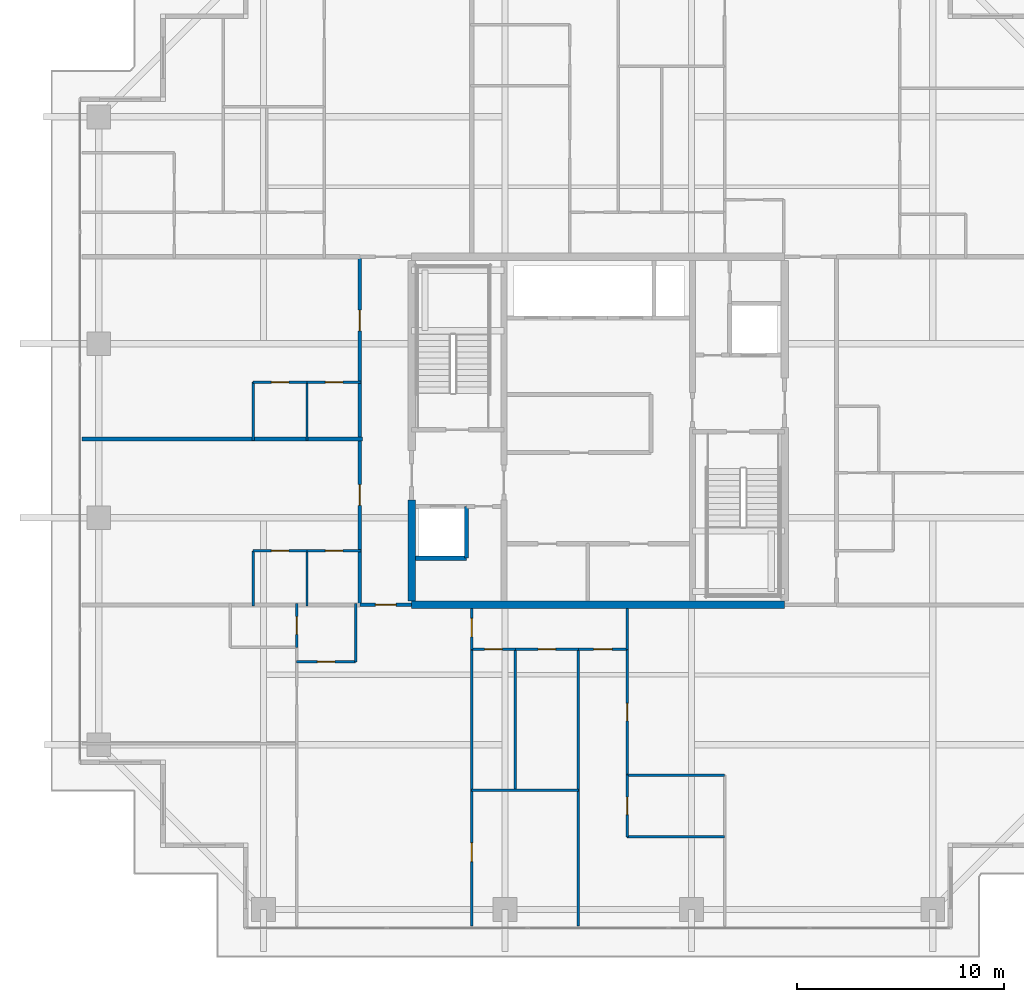
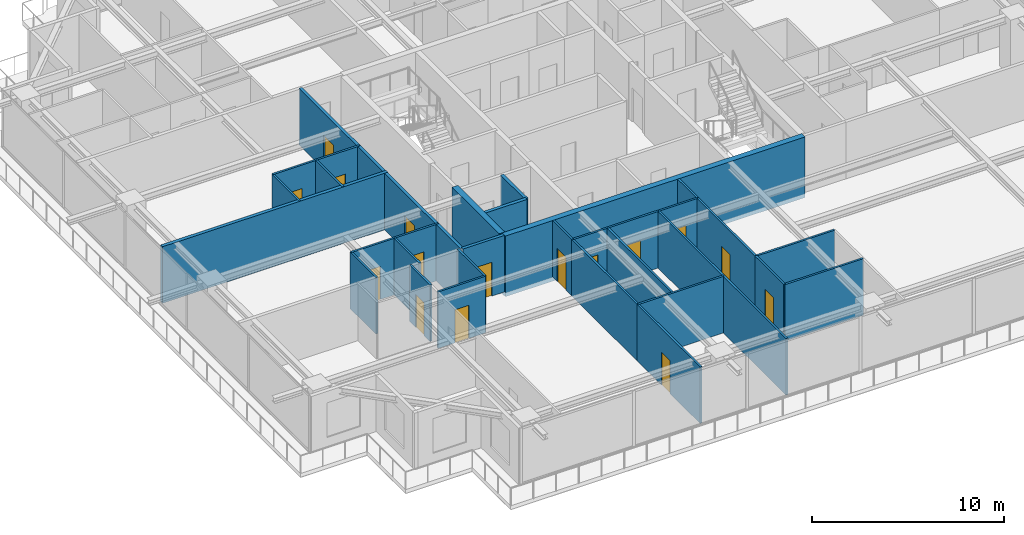
# One storey, part 26 of 37: 32 walls, 16 doors, 16 openings.
"""IFC4 building model written with IfcOpenShell, lengths in metres."""

from ifc_helpers import new_model, si_unit, direction, frame, frame_2d, origin, place, context, subcontext, project, spatial, rectangle, extrude, source, transform, mapped, material, layer, layer_set, type_object, element, fill, save


model = new_model("IFC4")

# Units and contexts
model_context = context("Model", 3, precision=1e-05, world=origin(), true_north=direction((0.0, 1.0)))
body_context = subcontext(model_context, "Body", "Model", "MODEL_VIEW")
ifc_project = project(units=[si_unit("LENGTHUNIT", "METRE"), si_unit("AREAUNIT", "SQUARE_METRE"), si_unit("VOLUMEUNIT", "CUBIC_METRE"), si_unit("PLANEANGLEUNIT", "RADIAN"), si_unit("MASSUNIT", "GRAM", prefix="KILO")], contexts=[model_context])

# Site, building, storey
site_placement = place(None, origin())
site = spatial("IfcSite", under=ifc_project, at=site_placement, CompositionType="ELEMENT")
building_placement = place(site_placement, origin())
building = spatial("IfcBuilding", under=site, at=building_placement, Name="Serunith Strait Residences", CompositionType="ELEMENT")
storey_placement = place(building_placement, frame((0.0, 0.0, 248.949951171875)))
storey = spatial("IfcBuildingStorey", under=building, at=storey_placement, Name="L62", CompositionType="ELEMENT", Elevation=248.949951171875)

# Wall, opening, door
ifc_material_1 = material(Name="Fire-rated acoustic gypsum partition")
ifc_layer_1 = layer(ifc_material_1, 0.179931640625, Name="Fire-rated acoustic gypsum partition")
ifc_layer_set_1 = layer_set([ifc_layer_1], Name="Fire-rated acoustic gypsum partition")
wall_type_1 = type_object("IfcWallType", Name="IW-CORR-180", PredefinedType="PARTITIONING", material=ifc_layer_set_1)
wall_1_placement = place(storey_placement, frame((20.902099609375, 16.800048828125, 0.0), z_axis=(0.0, 0.0, 1.0), x_axis=(1.0, 0.0, 0.0)))
wall_1 = element("IfcWall", 1, at=wall_1_placement, inside=storey, type_object=wall_type_1, Name="L62 Partition Wall 024", PredefinedType="PARTITIONING", context=body_context, shape_type="SweptSolid", body=[
    extrude(rectangle(XDim=2.495849609375, YDim=0.179931640625, at=frame_2d((1.248046875, 0.0))), origin(), (0.0, 0.0, 1.0), 3.590087890625),
])
opening_1_placement = place(wall_1_placement, frame((0.748046875, 0.0, 0.0)))
opening_1 = element("IfcOpeningElement", 2, at=opening_1_placement, cuts=wall_1, Name="Opening D-APT1000", PredefinedType="OPENING", context=body_context, shape_type="SweptSolid", body=[
    extrude(rectangle(XDim=1.0, YDim=2.14990234375, at=frame_2d((0.5, 1.074951171875))), frame((0.0, 0.10009765625, 0.0), z_axis=(0.0, -1.0, 0.0), x_axis=(1.0, 0.0, 0.0)), (0.0, 0.0, 1.0), 0.199951171875),
])
ifc_material_2 = material(Name="Solid timber engineered fire door", Category="wood")
door_type_1 = type_object("IfcDoorType", Name="ID-APT-1000", OperationType="NOTDEFINED", PredefinedType="DOOR", material=ifc_material_2)
shared_shape_1 = source(origin(), body_context, "Body", "SweptSolid", [
    extrude(rectangle(XDim=1.0, YDim=2.14990234375, at=frame_2d((0.5, 1.074951171875))), frame((0.0, 0.02490234375, 0.0), z_axis=(0.0, -1.0, 0.0), x_axis=(1.0, 0.0, 0.0)), (0.0, 0.0, 1.0), 0.050048828125),
])
door_1_placement = place(opening_1_placement, origin())
door_1 = element("IfcDoor", 3, at=door_1_placement, inside=storey, type_object=door_type_1, Name="L62 Unit 01 Entrance Door", OperationType="SINGLE_SWING_LEFT", OverallHeight=2.14990234375, OverallWidth=1.0, PredefinedType="DOOR", context=body_context, shape_type="MappedRepresentation", body=[
    mapped(shared_shape_1, transform((0.0, 0.0, 0.0), scale=1.0)),
])
fill(opening_1, door_1)

# Wall, openings, doors
wall_2_placement = place(storey_placement, frame((20.89990234375, 16.800048828125, 0.0), z_axis=(0.0, 0.0, 1.0), x_axis=(0.0, 1.0, 0.0)))
wall_2 = element("IfcWall", 4, at=wall_2_placement, inside=storey, type_object=wall_type_1, Name="L62 Partition Wall 026", PredefinedType="PARTITIONING", context=body_context, shape_type="SweptSolid", body=[
    extrude(rectangle(XDim=16.800048828125, YDim=0.179931640625, at=frame_2d((8.39990234375, 0.0))), origin(), (0.0, 0.0, 1.0), 3.590087890625),
])
opening_2_placement = place(wall_2_placement, frame((4.802978515625, 0.0, 0.0)))
opening_2 = element("IfcOpeningElement", 5, at=opening_2_placement, cuts=wall_2, Name="Opening D-APT1000", PredefinedType="OPENING", context=body_context, shape_type="SweptSolid", body=[
    extrude(rectangle(XDim=1.0, YDim=2.14990234375, at=frame_2d((0.5, 1.074951171875))), frame((0.0, 0.10009765625, 0.0), z_axis=(0.0, -1.0, 0.0), x_axis=(1.0, 0.0, 0.0)), (0.0, 0.0, 1.0), 0.199951171875),
])
opening_3_placement = place(wall_2_placement, frame((13.22509765625, 0.0, 0.0)))
opening_3 = element("IfcOpeningElement", 6, at=opening_3_placement, cuts=wall_2, Name="Opening D-APT1000", PredefinedType="OPENING", context=body_context, shape_type="SweptSolid", body=[
    extrude(rectangle(XDim=1.0, YDim=2.14990234375, at=frame_2d((0.5, 1.074951171875))), frame((0.0, 0.10009765625, 0.0), z_axis=(0.0, -1.0, 0.0), x_axis=(1.0, 0.0, 0.0)), (0.0, 0.0, 1.0), 0.199951171875),
])
door_2_placement = place(opening_2_placement, origin())
door_2 = element("IfcDoor", 7, at=door_2_placement, inside=storey, type_object=door_type_1, Name="L62 Unit 04 Entrance Door", OperationType="SINGLE_SWING_LEFT", OverallHeight=2.14990234375, OverallWidth=1.0, PredefinedType="DOOR", context=body_context, shape_type="MappedRepresentation", body=[
    mapped(shared_shape_1, transform((0.0, 0.0, 0.0), scale=1.0)),
])
fill(opening_2, door_2)
door_3_placement = place(opening_3_placement, origin())
door_3 = element("IfcDoor", 8, at=door_3_placement, inside=storey, type_object=door_type_1, Name="L62 Unit 05 Entrance Door", OperationType="SINGLE_SWING_RIGHT", OverallHeight=2.14990234375, OverallWidth=1.0, PredefinedType="DOOR", context=body_context, shape_type="MappedRepresentation", body=[
    mapped(shared_shape_1, transform((0.0, 0.0, 0.0), scale=1.0)),
])
fill(opening_3, door_3)

# Wall, opening, door
ifc_material_3 = material(Name="Lightweight steel-stud gypsum partition", Category="steel")
ifc_layer_2 = layer(ifc_material_3, 0.1201171875, Name="Lightweight steel-stud gypsum partition")
ifc_layer_set_2 = layer_set([ifc_layer_2], Name="Lightweight steel-stud gypsum partition")
wall_type_2 = type_object("IfcWallType", Name="IW-PART-120", PredefinedType="PARTITIONING", material=ifc_layer_set_2)
wall_3_placement = place(storey_placement, frame((17.85009765625, 14.050048828125, 0.0), z_axis=(0.0, 0.0, 1.0), x_axis=(1.0, 0.0, 0.0)))
wall_3 = element("IfcWall", 9, at=wall_3_placement, inside=storey, type_object=wall_type_2, Name="L62 Partition Wall 030", PredefinedType="PARTITIONING", context=body_context, shape_type="SweptSolid", body=[
    extrude(rectangle(XDim=2.849853515625, YDim=0.1201171875, at=frame_2d((1.4248046875, 0.0))), origin(), (0.0, 0.0, 1.0), 3.590087890625),
])
opening_4_placement = place(wall_3_placement, frame((1.0, 0.0, 0.0)))
opening_4 = element("IfcOpeningElement", 10, at=opening_4_placement, cuts=wall_3, Name="Opening D-RM850", PredefinedType="OPENING", context=body_context, shape_type="SweptSolid", body=[
    extrude(rectangle(XDim=0.85009765625, YDim=2.10009765625, at=frame_2d((0.425048828125, 1.050048828125))), frame((0.0, 0.070068359375, 0.0), z_axis=(0.0, -1.0, 0.0), x_axis=(1.0, 0.0, 0.0)), (0.0, 0.0, 1.0), 0.14013671875),
])
ifc_material_4 = material(Name="Engineered timber flush study and kitchen door", Category="wood")
door_type_2 = type_object("IfcDoorType", Name="ID-ROOM-850", OperationType="NOTDEFINED", PredefinedType="DOOR", material=ifc_material_4)
shared_shape_2 = source(origin(), body_context, "Body", "SweptSolid", [
    extrude(rectangle(XDim=0.85009765625, YDim=2.10009765625, at=frame_2d((0.425048828125, 1.050048828125))), frame((0.0, 0.02490234375, 0.0), z_axis=(0.0, -1.0, 0.0), x_axis=(1.0, 0.0, 0.0)), (0.0, 0.0, 1.0), 0.050048828125),
])
door_4_placement = place(opening_4_placement, origin())
door_4 = element("IfcDoor", 11, at=door_4_placement, inside=storey, type_object=door_type_2, Name="L62 Kitchen 6201 Door", OperationType="SINGLE_SWING_LEFT", OverallHeight=2.10009765625, OverallWidth=0.85009765625, PredefinedType="DOOR", context=body_context, shape_type="MappedRepresentation", body=[
    mapped(shared_shape_2, transform((0.0, 0.0, 0.0), scale=1.0)),
])
fill(opening_4, door_4)

# Wall
wall_4_placement = place(storey_placement, frame((20.699951171875, 14.050048828125, 0.0), z_axis=(0.0, 0.0, 1.0), x_axis=(0.0, 1.0, 0.0)))
element("IfcWall", 12, at=wall_4_placement, inside=storey, type_object=wall_type_2, Name="L62 Partition Wall 031", PredefinedType="PARTITIONING", context=body_context, shape_type="SweptSolid", body=[
    extrude(rectangle(XDim=2.81005859375, YDim=0.1201171875, at=frame_2d((1.405029296875, 0.0))), origin(), (0.0, 0.0, 1.0), 3.590087890625),
])

# Wall, opening, door
wall_5_placement = place(storey_placement, frame((17.85009765625, 14.751953125, 0.0), z_axis=(0.0, 0.0, 1.0), x_axis=(0.0, 1.0, 0.0)))
wall_5 = element("IfcWall", 13, at=wall_5_placement, inside=storey, type_object=wall_type_2, Name="L62 Partition Wall 037", PredefinedType="PARTITIONING", context=body_context, shape_type="SweptSolid", body=[
    extrude(rectangle(XDim=2.108154296875, YDim=0.1201171875, at=frame_2d((1.05419921875, 0.0))), origin(), (0.0, 0.0, 1.0), 3.590087890625),
])
opening_5_placement = place(wall_5_placement, frame((0.62890625, 0.0, 0.0)))
opening_5 = element("IfcOpeningElement", 14, at=opening_5_placement, cuts=wall_5, Name="Opening D-BTH850", PredefinedType="OPENING", context=body_context, shape_type="SweptSolid", body=[
    extrude(rectangle(XDim=0.85009765625, YDim=2.10009765625, at=frame_2d((0.425048828125, 1.050048828125))), frame((0.0, 0.070068359375, 0.0), z_axis=(0.0, -1.0, 0.0), x_axis=(1.0, 0.0, 0.0)), (0.0, 0.0, 1.0), 0.14013671875),
])
ifc_material_5 = material(Name="Moisture-resistant timber bathroom door", Category="wood")
door_type_3 = type_object("IfcDoorType", Name="ID-BATH-850", OperationType="NOTDEFINED", PredefinedType="DOOR", material=ifc_material_5)
door_5_placement = place(opening_5_placement, origin())
door_5 = element("IfcDoor", 15, at=door_5_placement, inside=storey, type_object=door_type_3, Name="L62 Bathroom 6201 Door", OperationType="SINGLE_SWING_RIGHT", OverallHeight=2.10009765625, OverallWidth=0.85009765625, PredefinedType="DOOR", context=body_context, shape_type="MappedRepresentation", body=[
    mapped(shared_shape_2, transform((0.0, 0.0, 0.0), scale=1.0)),
])
fill(opening_5, door_5)

wall_6_placement = place(storey_placement, frame((26.300048828125, 14.64990234375, 0.0), z_axis=(0.0, 0.0, 1.0), x_axis=(0.0, 1.0, 0.0)))
wall_6 = element("IfcWall", 16, at=wall_6_placement, inside=storey, type_object=wall_type_2, Name="L62 Partition Wall 038", PredefinedType="PARTITIONING", context=body_context, shape_type="SweptSolid", body=[
    extrude(rectangle(XDim=1.97509765625, YDim=0.1201171875, at=frame_2d((0.987548828125, 0.0))), origin(), (0.0, 0.0, 1.0), 3.590087890625),
])
opening_6_placement = place(wall_6_placement, frame((0.60107421875, 0.0, 0.0)))
opening_6 = element("IfcOpeningElement", 17, at=opening_6_placement, cuts=wall_6, Name="Opening D-RM900", PredefinedType="OPENING", context=body_context, shape_type="SweptSolid", body=[
    extrude(rectangle(XDim=0.89990234375, YDim=2.10009765625, at=frame_2d((0.449951171875, 1.050048828125))), frame((0.0, 0.070068359375, 0.0), z_axis=(0.0, -1.0, 0.0), x_axis=(1.0, 0.0, 0.0)), (0.0, 0.0, 1.0), 0.14013671875),
])
ifc_material_6 = material(Name="Engineered timber flush bedroom door", Category="wood")
door_type_4 = type_object("IfcDoorType", Name="ID-ROOM-900", OperationType="NOTDEFINED", PredefinedType="DOOR", material=ifc_material_6)
shared_shape_3 = source(origin(), body_context, "Body", "SweptSolid", [
    extrude(rectangle(XDim=0.89990234375, YDim=2.10009765625, at=frame_2d((0.449951171875, 1.050048828125))), frame((0.0, 0.02490234375, 0.0), z_axis=(0.0, -1.0, 0.0), x_axis=(1.0, 0.0, 0.0)), (0.0, 0.0, 1.0), 0.050048828125),
])
door_6_placement = place(opening_6_placement, origin())
door_6 = element("IfcDoor", 18, at=door_6_placement, inside=storey, type_object=door_type_4, Name="L62 Hall E 6201 Door", OperationType="SINGLE_SWING_LEFT", OverallHeight=2.10009765625, OverallWidth=0.89990234375, PredefinedType="DOOR", context=body_context, shape_type="MappedRepresentation", body=[
    mapped(shared_shape_3, transform((0.0, 0.0, 0.0), scale=1.0)),
])
fill(opening_6, door_6)

wall_7_placement = place(storey_placement, frame((26.300048828125, 1.294921875, 0.0), z_axis=(0.0, 0.0, 1.0), x_axis=(0.0, 1.0, 0.0)))
wall_7 = element("IfcWall", 19, at=wall_7_placement, inside=storey, type_object=wall_type_2, Name="L62 Partition Wall 039", PredefinedType="PARTITIONING", context=body_context, shape_type="SweptSolid", body=[
    extrude(rectangle(XDim=6.565185546875, YDim=0.1201171875, at=frame_2d((3.28271484375, 0.0))), origin(), (0.0, 0.0, 1.0), 3.590087890625),
])
opening_7_placement = place(wall_7_placement, frame((3.115966796875, 0.0, 0.0)))
opening_7 = element("IfcOpeningElement", 20, at=opening_7_placement, cuts=wall_7, Name="Opening D-RM900", PredefinedType="OPENING", context=body_context, shape_type="SweptSolid", body=[
    extrude(rectangle(XDim=0.89990234375, YDim=2.10009765625, at=frame_2d((0.449951171875, 1.050048828125))), frame((0.0, 0.070068359375, 0.0), z_axis=(0.0, -1.0, 0.0), x_axis=(1.0, 0.0, 0.0)), (0.0, 0.0, 1.0), 0.14013671875),
])
door_7_placement = place(opening_7_placement, origin())
door_7 = element("IfcDoor", 21, at=door_7_placement, inside=storey, type_object=door_type_4, Name="L62 Formal Dining Room 2 6201 Door", OperationType="SINGLE_SWING_RIGHT", OverallHeight=2.10009765625, OverallWidth=0.89990234375, PredefinedType="DOOR", context=body_context, shape_type="MappedRepresentation", body=[
    mapped(shared_shape_3, transform((0.0, 0.0, 0.0), scale=1.0)),
])
fill(opening_7, door_7)

# Walls
wall_8_placement = place(storey_placement, frame((26.300048828125, 7.862060546875, 0.0), z_axis=(0.0, 0.0, 1.0), x_axis=(0.0, 1.0, 0.0)))
element("IfcWall", 22, at=wall_8_placement, inside=storey, type_object=wall_type_2, Name="L62 Partition Wall 040", PredefinedType="PARTITIONING", context=body_context, shape_type="SweptSolid", body=[
    extrude(rectangle(XDim=6.785888671875, YDim=0.1201171875, at=frame_2d((3.39306640625, 0.0))), origin(), (0.0, 0.0, 1.0), 3.590087890625),
])
wall_9_placement = place(storey_placement, frame((26.300048828125, 7.860107421875, 0.0), z_axis=(0.0, 0.0, 1.0), x_axis=(1.0, 0.0, 0.0)))
element("IfcWall", 23, at=wall_9_placement, inside=storey, type_object=wall_type_2, Name="L62 Partition Wall 041", PredefinedType="PARTITIONING", context=body_context, shape_type="SweptSolid", body=[
    extrude(rectangle(XDim=5.14990234375, YDim=0.1201171875, at=frame_2d((2.574951171875, 0.0))), origin(), (0.0, 0.0, 1.0), 3.590087890625),
])
wall_10_placement = place(storey_placement, frame((31.449951171875, 1.294921875, 0.0), z_axis=(0.0, 0.0, 1.0), x_axis=(0.0, 1.0, 0.0)))
element("IfcWall", 24, at=wall_10_placement, inside=storey, type_object=wall_type_2, Name="L62 Partition Wall 042", PredefinedType="PARTITIONING", context=body_context, shape_type="SweptSolid", body=[
    extrude(rectangle(XDim=13.35498046875, YDim=0.1201171875, at=frame_2d((6.677490234375, 0.0))), origin(), (0.0, 0.0, 1.0), 3.590087890625),
])
wall_11_placement = place(storey_placement, frame((28.39990234375, 7.860107421875, 0.0), z_axis=(0.0, 0.0, 1.0), x_axis=(0.0, 1.0, 0.0)))
element("IfcWall", 25, at=wall_11_placement, inside=storey, type_object=wall_type_2, Name="L62 Partition Wall 043", PredefinedType="PARTITIONING", context=body_context, shape_type="SweptSolid", body=[
    extrude(rectangle(XDim=6.789794921875, YDim=0.1201171875, at=frame_2d((3.39501953125, 0.0))), origin(), (0.0, 0.0, 1.0), 3.590087890625),
])

# Wall, opening, door
wall_12_placement = place(storey_placement, frame((26.300048828125, 14.64990234375, 0.0), z_axis=(0.0, 0.0, 1.0), x_axis=(1.0, 0.0, 0.0)))
wall_12 = element("IfcWall", 26, at=wall_12_placement, inside=storey, type_object=wall_type_2, Name="L62 Partition Wall 044", PredefinedType="PARTITIONING", context=body_context, shape_type="SweptSolid", body=[
    extrude(rectangle(XDim=2.099853515625, YDim=0.1201171875, at=frame_2d((1.0498046875, 0.0))), origin(), (0.0, 0.0, 1.0), 3.590087890625),
])
opening_8_placement = place(wall_12_placement, frame((0.625, 0.0, 0.0)))
opening_8 = element("IfcOpeningElement", 27, at=opening_8_placement, cuts=wall_12, Name="Opening D-RM850", PredefinedType="OPENING", context=body_context, shape_type="SweptSolid", body=[
    extrude(rectangle(XDim=0.85009765625, YDim=2.10009765625, at=frame_2d((0.425048828125, 1.050048828125))), frame((0.0, 0.070068359375, 0.0), z_axis=(0.0, -1.0, 0.0), x_axis=(1.0, 0.0, 0.0)), (0.0, 0.0, 1.0), 0.14013671875),
])
door_8_placement = place(opening_8_placement, origin())
door_8 = element("IfcDoor", 28, at=door_8_placement, inside=storey, type_object=door_type_2, Name="L62 Study 6201 Door", OperationType="SINGLE_SWING_LEFT", OverallHeight=2.10009765625, OverallWidth=0.85009765625, PredefinedType="DOOR", context=body_context, shape_type="MappedRepresentation", body=[
    mapped(shared_shape_2, transform((0.0, 0.0, 0.0), scale=1.0)),
])
fill(opening_8, door_8)

wall_13_placement = place(storey_placement, frame((28.402099609375, 14.64990234375, 0.0), z_axis=(0.0, 0.0, 1.0), x_axis=(1.0, 0.0, 0.0)))
wall_13 = element("IfcWall", 29, at=wall_13_placement, inside=storey, type_object=wall_type_2, Name="L62 Partition Wall 045", PredefinedType="PARTITIONING", context=body_context, shape_type="SweptSolid", body=[
    extrude(rectangle(XDim=3.0478515625, YDim=0.1201171875, at=frame_2d((1.52392578125, 0.0))), origin(), (0.0, 0.0, 1.0), 3.590087890625),
])
opening_9_placement = place(wall_13_placement, frame((1.09912109375, 0.0, 0.0)))
opening_9 = element("IfcOpeningElement", 30, at=opening_9_placement, cuts=wall_13, Name="Opening D-RM850", PredefinedType="OPENING", context=body_context, shape_type="SweptSolid", body=[
    extrude(rectangle(XDim=0.85009765625, YDim=2.10009765625, at=frame_2d((0.425048828125, 1.050048828125))), frame((0.0, 0.070068359375, 0.0), z_axis=(0.0, -1.0, 0.0), x_axis=(1.0, 0.0, 0.0)), (0.0, 0.0, 1.0), 0.14013671875),
])
door_9_placement = place(opening_9_placement, origin())
door_9 = element("IfcDoor", 31, at=door_9_placement, inside=storey, type_object=door_type_2, Name="L62 Formal Dining Room 6201 Door", OperationType="SINGLE_SWING_RIGHT", OverallHeight=2.10009765625, OverallWidth=0.85009765625, PredefinedType="DOOR", context=body_context, shape_type="MappedRepresentation", body=[
    mapped(shared_shape_2, transform((0.0, 0.0, 0.0), scale=1.0)),
])
fill(opening_9, door_9)

wall_14_placement = place(storey_placement, frame((31.451904296875, 14.64990234375, 0.0), z_axis=(0.0, 0.0, 1.0), x_axis=(1.0, 0.0, 0.0)))
wall_14 = element("IfcWall", 32, at=wall_14_placement, inside=storey, type_object=wall_type_2, Name="L62 Partition Wall 046", PredefinedType="PARTITIONING", context=body_context, shape_type="SweptSolid", body=[
    extrude(rectangle(XDim=2.34814453125, YDim=0.1201171875, at=frame_2d((1.174072265625, 0.0))), origin(), (0.0, 0.0, 1.0), 3.590087890625),
])
opening_10_placement = place(wall_14_placement, frame((0.72412109375, 0.0, 0.0)))
opening_10 = element("IfcOpeningElement", 33, at=opening_10_placement, cuts=wall_14, Name="Opening D-RM900", PredefinedType="OPENING", context=body_context, shape_type="SweptSolid", body=[
    extrude(rectangle(XDim=0.89990234375, YDim=2.10009765625, at=frame_2d((0.449951171875, 1.050048828125))), frame((0.0, 0.070068359375, 0.0), z_axis=(0.0, -1.0, 0.0), x_axis=(1.0, 0.0, 0.0)), (0.0, 0.0, 1.0), 0.14013671875),
])
door_10_placement = place(opening_10_placement, origin())
door_10 = element("IfcDoor", 34, at=door_10_placement, inside=storey, type_object=door_type_4, Name="L62 Master Bedroom E 6201 Door", OperationType="SINGLE_SWING_LEFT", OverallHeight=2.10009765625, OverallWidth=0.89990234375, PredefinedType="DOOR", context=body_context, shape_type="MappedRepresentation", body=[
    mapped(shared_shape_3, transform((0.0, 0.0, 0.0), scale=1.0)),
])
fill(opening_10, door_10)

# Walls
for number, where, z_axis, x_axis, name in (
    (35, (33.800048828125, 5.60888671875, 0.0), (0.0, 0.0, 1.0), (1.0, 0.0, 0.0), "L62 Partition Wall 047"),
    (36, (33.800048828125, 8.587890625, 0.0), (0.0, 0.0, 1.0), (1.0, 0.0, 0.0), "L62 Partition Wall 049"),
):
    element("IfcWall", number, at=place(storey_placement, frame(where, z_axis=z_axis, x_axis=x_axis)), inside=storey, type_object=wall_type_2, Name=name, PredefinedType="PARTITIONING", context=body_context, shape_type="SweptSolid", body=[
        extrude(rectangle(XDim=4.699951171875, YDim=0.1201171875, at=frame_2d((2.35009765625, 0.0))), origin(), (0.0, 0.0, 1.0), 3.590087890625),
    ])

# Wall, opening, door
wall_15_placement = place(storey_placement, frame((33.800048828125, 5.60888671875, 0.0), z_axis=(0.0, 0.0, 1.0), x_axis=(0.0, 1.0, 0.0)))
wall_15 = element("IfcWall", 37, at=wall_15_placement, inside=storey, type_object=wall_type_2, Name="L62 Partition Wall 050", PredefinedType="PARTITIONING", context=body_context, shape_type="SweptSolid", body=[
    extrude(rectangle(XDim=2.97900390625, YDim=0.1201171875, at=frame_2d((1.489501953125, 0.0))), origin(), (0.0, 0.0, 1.0), 3.590087890625),
])
opening_11_placement = place(wall_15_placement, frame((1.06396484375, 0.0, 0.0)))
opening_11 = element("IfcOpeningElement", 38, at=opening_11_placement, cuts=wall_15, Name="Opening D-BTH850", PredefinedType="OPENING", context=body_context, shape_type="SweptSolid", body=[
    extrude(rectangle(XDim=0.85009765625, YDim=2.10009765625, at=frame_2d((0.425048828125, 1.050048828125))), frame((0.0, 0.070068359375, 0.0), z_axis=(0.0, -1.0, 0.0), x_axis=(1.0, 0.0, 0.0)), (0.0, 0.0, 1.0), 0.14013671875),
])
door_11_placement = place(opening_11_placement, origin())
door_11 = element("IfcDoor", 39, at=door_11_placement, inside=storey, type_object=door_type_3, Name="L62 En-suite Bathroom E 6201 Door", OperationType="SINGLE_SWING_RIGHT", OverallHeight=2.10009765625, OverallWidth=0.85009765625, PredefinedType="DOOR", context=body_context, shape_type="MappedRepresentation", body=[
    mapped(shared_shape_2, transform((0.0, 0.0, 0.0), scale=1.0)),
])
fill(opening_11, door_11)

wall_16_placement = place(storey_placement, frame((33.800048828125, 8.590087890625, 0.0), z_axis=(0.0, 0.0, 1.0), x_axis=(0.0, 1.0, 0.0)))
wall_16 = element("IfcWall", 40, at=wall_16_placement, inside=storey, type_object=wall_type_2, Name="L62 Partition Wall 051", PredefinedType="PARTITIONING", context=body_context, shape_type="SweptSolid", body=[
    extrude(rectangle(XDim=6.059814453125, YDim=0.1201171875, at=frame_2d((3.02978515625, 0.0))), origin(), (0.0, 0.0, 1.0), 3.590087890625),
])
opening_12_placement = place(wall_16_placement, frame((2.60498046875, 0.0, 0.0)))
opening_12 = element("IfcOpeningElement", 41, at=opening_12_placement, cuts=wall_16, Name="Opening D-RM850", PredefinedType="OPENING", context=body_context, shape_type="SweptSolid", body=[
    extrude(rectangle(XDim=0.85009765625, YDim=2.10009765625, at=frame_2d((0.425048828125, 1.050048828125))), frame((0.0, 0.070068359375, 0.0), z_axis=(0.0, -1.0, 0.0), x_axis=(1.0, 0.0, 0.0)), (0.0, 0.0, 1.0), 0.14013671875),
])
door_12_placement = place(opening_12_placement, origin())
door_12 = element("IfcDoor", 42, at=door_12_placement, inside=storey, type_object=door_type_2, Name="L62 Wardrobe E 6201 Door", OperationType="SINGLE_SWING_LEFT", OverallHeight=2.10009765625, OverallWidth=0.85009765625, PredefinedType="DOOR", context=body_context, shape_type="MappedRepresentation", body=[
    mapped(shared_shape_2, transform((0.0, 0.0, 0.0), scale=1.0)),
])
fill(opening_12, door_12)

# Wall
wall_17_placement = place(storey_placement, frame((33.800048828125, 14.652099609375, 0.0), z_axis=(0.0, 0.0, 1.0), x_axis=(0.0, 1.0, 0.0)))
element("IfcWall", 43, at=wall_17_placement, inside=storey, type_object=wall_type_2, Name="L62 Partition Wall 052", PredefinedType="PARTITIONING", context=body_context, shape_type="SweptSolid", body=[
    extrude(rectangle(XDim=1.972900390625, YDim=0.1201171875, at=frame_2d((0.986328125, 0.0))), origin(), (0.0, 0.0, 1.0), 3.590087890625),
])

# Wall, opening, door
wall_18_placement = place(storey_placement, frame((15.75, 19.39990234375, 0.0), z_axis=(0.0, 0.0, 1.0), x_axis=(1.0, 0.0, 0.0)))
wall_18 = element("IfcWall", 44, at=wall_18_placement, inside=storey, type_object=wall_type_2, Name="L62 Partition Wall 088", PredefinedType="PARTITIONING", context=body_context, shape_type="SweptSolid", body=[
    extrude(rectangle(XDim=2.60009765625, YDim=0.1201171875, at=frame_2d((1.300048828125, 0.0))), origin(), (0.0, 0.0, 1.0), 3.590087890625),
])
opening_13_placement = place(wall_18_placement, frame((0.875, 0.0, 0.0)))
opening_13 = element("IfcOpeningElement", 45, at=opening_13_placement, cuts=wall_18, Name="Opening D-RM850", PredefinedType="OPENING", context=body_context, shape_type="SweptSolid", body=[
    extrude(rectangle(XDim=0.85009765625, YDim=2.10009765625, at=frame_2d((0.425048828125, 1.050048828125))), frame((0.0, 0.070068359375, 0.0), z_axis=(0.0, -1.0, 0.0), x_axis=(1.0, 0.0, 0.0)), (0.0, 0.0, 1.0), 0.14013671875),
])
door_13_placement = place(opening_13_placement, origin())
door_13 = element("IfcDoor", 46, at=door_13_placement, inside=storey, type_object=door_type_2, Name="L62 Kitchen 6204 Door", OperationType="SINGLE_SWING_RIGHT", OverallHeight=2.10009765625, OverallWidth=0.85009765625, PredefinedType="DOOR", context=body_context, shape_type="MappedRepresentation", body=[
    mapped(shared_shape_2, transform((0.0, 0.0, 0.0), scale=1.0)),
])
fill(opening_13, door_13)

wall_19_placement = place(storey_placement, frame((18.35205078125, 19.39990234375, 0.0), z_axis=(0.0, 0.0, 1.0), x_axis=(1.0, 0.0, 0.0)))
wall_19 = element("IfcWall", 47, at=wall_19_placement, inside=storey, type_object=wall_type_2, Name="L62 Partition Wall 089", PredefinedType="PARTITIONING", context=body_context, shape_type="SweptSolid", body=[
    extrude(rectangle(XDim=2.60791015625, YDim=0.1201171875, at=frame_2d((1.303955078125, 0.0))), origin(), (0.0, 0.0, 1.0), 3.590087890625),
])
opening_14_placement = place(wall_19_placement, frame((0.87890625, 0.0, 0.0)))
opening_14 = element("IfcOpeningElement", 48, at=opening_14_placement, cuts=wall_19, Name="Opening D-BTH850", PredefinedType="OPENING", context=body_context, shape_type="SweptSolid", body=[
    extrude(rectangle(XDim=0.85009765625, YDim=2.10009765625, at=frame_2d((0.425048828125, 1.050048828125))), frame((0.0, 0.070068359375, 0.0), z_axis=(0.0, -1.0, 0.0), x_axis=(1.0, 0.0, 0.0)), (0.0, 0.0, 1.0), 0.14013671875),
])
door_14_placement = place(opening_14_placement, origin())
door_14 = element("IfcDoor", 49, at=door_14_placement, inside=storey, type_object=door_type_3, Name="L62 Bathroom 6204 Door", OperationType="SINGLE_SWING_LEFT", OverallHeight=2.10009765625, OverallWidth=0.85009765625, PredefinedType="DOOR", context=body_context, shape_type="MappedRepresentation", body=[
    mapped(shared_shape_2, transform((0.0, 0.0, 0.0), scale=1.0)),
])
fill(opening_14, door_14)

# Walls
for number, where, z_axis, x_axis, name in (
    (50, (18.35009765625, 16.739990234375, 0.0), (0.0, 0.0, 1.0), (0.0, 1.0, 0.0), "L62 Partition Wall 090"),
    (51, (15.75, 16.739990234375, 0.0), (0.0, 0.0, 1.0), (0.0, 1.0, 0.0), "L62 Partition Wall 091"),
):
    element("IfcWall", number, at=place(storey_placement, frame(where, z_axis=z_axis, x_axis=x_axis)), inside=storey, type_object=wall_type_2, Name=name, PredefinedType="PARTITIONING", context=body_context, shape_type="SweptSolid", body=[
        extrude(rectangle(XDim=2.659912109375, YDim=0.1201171875, at=frame_2d((1.330078125, 0.0))), origin(), (0.0, 0.0, 1.0), 3.590087890625),
    ])

# Wall, opening, door
wall_20_placement = place(storey_placement, frame((15.75, 27.550048828125, 0.0), z_axis=(0.0, 0.0, 1.0), x_axis=(1.0, 0.0, 0.0)))
wall_20 = element("IfcWall", 52, at=wall_20_placement, inside=storey, type_object=wall_type_2, Name="L62 Partition Wall 092", PredefinedType="PARTITIONING", context=body_context, shape_type="SweptSolid", body=[
    extrude(rectangle(XDim=2.60009765625, YDim=0.1201171875, at=frame_2d((1.300048828125, 0.0))), origin(), (0.0, 0.0, 1.0), 3.590087890625),
])
opening_15_placement = place(wall_20_placement, frame((0.875, 0.0, 0.0)))
opening_15 = element("IfcOpeningElement", 53, at=opening_15_placement, cuts=wall_20, Name="Opening D-RM850", PredefinedType="OPENING", context=body_context, shape_type="SweptSolid", body=[
    extrude(rectangle(XDim=0.85009765625, YDim=2.10009765625, at=frame_2d((0.425048828125, 1.050048828125))), frame((0.0, 0.070068359375, 0.0), z_axis=(0.0, -1.0, 0.0), x_axis=(1.0, 0.0, 0.0)), (0.0, 0.0, 1.0), 0.14013671875),
])
door_15_placement = place(opening_15_placement, origin())
door_15 = element("IfcDoor", 54, at=door_15_placement, inside=storey, type_object=door_type_2, Name="L62 Kitchen 6205 Door", OperationType="SINGLE_SWING_RIGHT", OverallHeight=2.10009765625, OverallWidth=0.85009765625, PredefinedType="DOOR", context=body_context, shape_type="MappedRepresentation", body=[
    mapped(shared_shape_2, transform((0.0, 0.0, 0.0), scale=1.0)),
])
fill(opening_15, door_15)

wall_21_placement = place(storey_placement, frame((18.35205078125, 27.550048828125, 0.0), z_axis=(0.0, 0.0, 1.0), x_axis=(1.0, 0.0, 0.0)))
wall_21 = element("IfcWall", 55, at=wall_21_placement, inside=storey, type_object=wall_type_2, Name="L62 Partition Wall 093", PredefinedType="PARTITIONING", context=body_context, shape_type="SweptSolid", body=[
    extrude(rectangle(XDim=2.60791015625, YDim=0.1201171875, at=frame_2d((1.303955078125, 0.0))), origin(), (0.0, 0.0, 1.0), 3.590087890625),
])
opening_16_placement = place(wall_21_placement, frame((0.87890625, 0.0, 0.0)))
opening_16 = element("IfcOpeningElement", 56, at=opening_16_placement, cuts=wall_21, Name="Opening D-BTH850", PredefinedType="OPENING", context=body_context, shape_type="SweptSolid", body=[
    extrude(rectangle(XDim=0.85009765625, YDim=2.10009765625, at=frame_2d((0.425048828125, 1.050048828125))), frame((0.0, 0.070068359375, 0.0), z_axis=(0.0, -1.0, 0.0), x_axis=(1.0, 0.0, 0.0)), (0.0, 0.0, 1.0), 0.14013671875),
])
door_16_placement = place(opening_16_placement, origin())
door_16 = element("IfcDoor", 57, at=door_16_placement, inside=storey, type_object=door_type_3, Name="L62 Bathroom 6205 Door", OperationType="SINGLE_SWING_LEFT", OverallHeight=2.10009765625, OverallWidth=0.85009765625, PredefinedType="DOOR", context=body_context, shape_type="MappedRepresentation", body=[
    mapped(shared_shape_2, transform((0.0, 0.0, 0.0), scale=1.0)),
])
fill(opening_16, door_16)

# Walls
for number, where, z_axis, x_axis, name in (
    (58, (18.35009765625, 24.739990234375, 0.0), (0.0, 0.0, 1.0), (0.0, 1.0, 0.0), "L62 Partition Wall 094"),
    (59, (15.75, 24.739990234375, 0.0), (0.0, 0.0, 1.0), (0.0, 1.0, 0.0), "L62 Partition Wall 095"),
):
    element("IfcWall", number, at=place(storey_placement, frame(where, z_axis=z_axis, x_axis=x_axis)), inside=storey, type_object=wall_type_2, Name=name, PredefinedType="PARTITIONING", context=body_context, shape_type="SweptSolid", body=[
        extrude(rectangle(XDim=2.81005859375, YDim=0.1201171875, at=frame_2d((1.405029296875, 0.0))), origin(), (0.0, 0.0, 1.0), 3.590087890625),
    ])
ifc_material_7 = material(Name="Twin-stud acoustic gypsum board partition")
ifc_layer_3 = layer(ifc_material_7, 0.199951171875, Name="Twin-stud acoustic gypsum board partition")
ifc_layer_set_3 = layer_set([ifc_layer_3], Name="Twin-stud acoustic gypsum board partition")
wall_type_3 = type_object("IfcWallType", Name="IW-PARTY-200", PredefinedType="PARTITIONING", material=ifc_layer_set_3)
wall_22_placement = place(storey_placement, frame((7.48193359375, 24.800048828125, 0.0), z_axis=(0.0, 0.0, 1.0), x_axis=(1.0, 0.0, 0.0)))
element("IfcWall", 60, at=wall_22_placement, inside=storey, type_object=wall_type_3, Name="L62 Partition Wall 019", PredefinedType="PARTITIONING", context=body_context, shape_type="SweptSolid", body=[
    extrude(rectangle(XDim=13.5380859375, YDim=0.199951171875, at=frame_2d((6.76904296875, 0.0))), origin(), (0.0, 0.0, 1.0), 3.590087890625),
])
ifc_material_8 = material(Name="Autoclaved aerated concrete blockwork", Category="masonry")
ifc_layer_4 = layer(ifc_material_8, 0.199951171875, Name="Autoclaved aerated concrete blockwork")
ifc_layer_set_4 = layer_set([ifc_layer_4], Name="Autoclaved aerated concrete blockwork")
wall_type_4 = type_object("IfcWallType", Name="IW-SHAFT-200", PredefinedType="STANDARD", material=ifc_layer_set_4)
wall_23_placement = place(storey_placement, frame((26.050048828125, 19.050048828125, 0.0), z_axis=(0.0, 0.0, 1.0), x_axis=(0.0, 1.0, 0.0)))
element("IfcWall", 61, at=wall_23_placement, inside=storey, type_object=wall_type_4, Name="L62 Partition Wall 001", PredefinedType="STANDARD", context=body_context, shape_type="SweptSolid", body=[
    extrude(rectangle(XDim=2.5, YDim=0.199951171875, at=frame_2d((1.25, 0.0))), origin(), (0.0, 0.0, 1.0), 3.590087890625),
])
wall_24_placement = place(storey_placement, frame((23.574951171875, 19.050048828125, 0.0), z_axis=(0.0, 0.0, 1.0), x_axis=(1.0, 0.0, 0.0)))
element("IfcWall", 62, at=wall_24_placement, inside=storey, type_object=wall_type_4, Name="L62 Partition Wall 002", PredefinedType="STANDARD", context=body_context, shape_type="SweptSolid", body=[
    extrude(rectangle(XDim=2.47509765625, YDim=0.199951171875, at=frame_2d((1.237548828125, 0.0))), origin(), (0.0, 0.0, 1.0), 3.590087890625),
])
ifc_material_9 = material(Name="Concrete C60/75", Category="concrete")
ifc_layer_5 = layer(ifc_material_9, 0.35009765625, Name="Concrete C60/75")
ifc_layer_set_5 = layer_set([ifc_layer_5], Name="Concrete C60/75")
wall_type_5 = type_object("IfcWallType", Name="SW-350-C60", PredefinedType="SHEAR", material=ifc_layer_set_5)
wall_25_placement = place(storey_placement, frame((23.39990234375, 16.800048828125, -0.260009765625), z_axis=(0.0, 0.0, 1.0), x_axis=(1.0, 0.0, 0.0)))
element("IfcWall", 63, at=wall_25_placement, inside=storey, type_object=wall_type_5, Name="L62 Core South Shear Wall", PredefinedType="SHEAR", context=body_context, shape_type="SweptSolid", body=[
    extrude(rectangle(XDim=18.0, YDim=0.35009765625, at=frame_2d((9.0, 0.0))), origin(), (0.0, 0.0, 1.0), 3.84814453125),
])
wall_26_placement = place(storey_placement, frame((23.39990234375, 16.97509765625, -0.260009765625), z_axis=(0.0, 0.0, 1.0), x_axis=(0.0, 1.0, 0.0)))
element("IfcWall", 64, at=wall_26_placement, inside=storey, type_object=wall_type_5, Name="L62 Core West Shear Wall South Pier", PredefinedType="SHEAR", context=body_context, shape_type="SweptSolid", body=[
    extrude(rectangle(XDim=4.875, YDim=0.35009765625, at=frame_2d((2.4375, 0.0))), origin(), (0.0, 0.0, 1.0), 3.84814453125),
])

save(model, "model.ifc")
